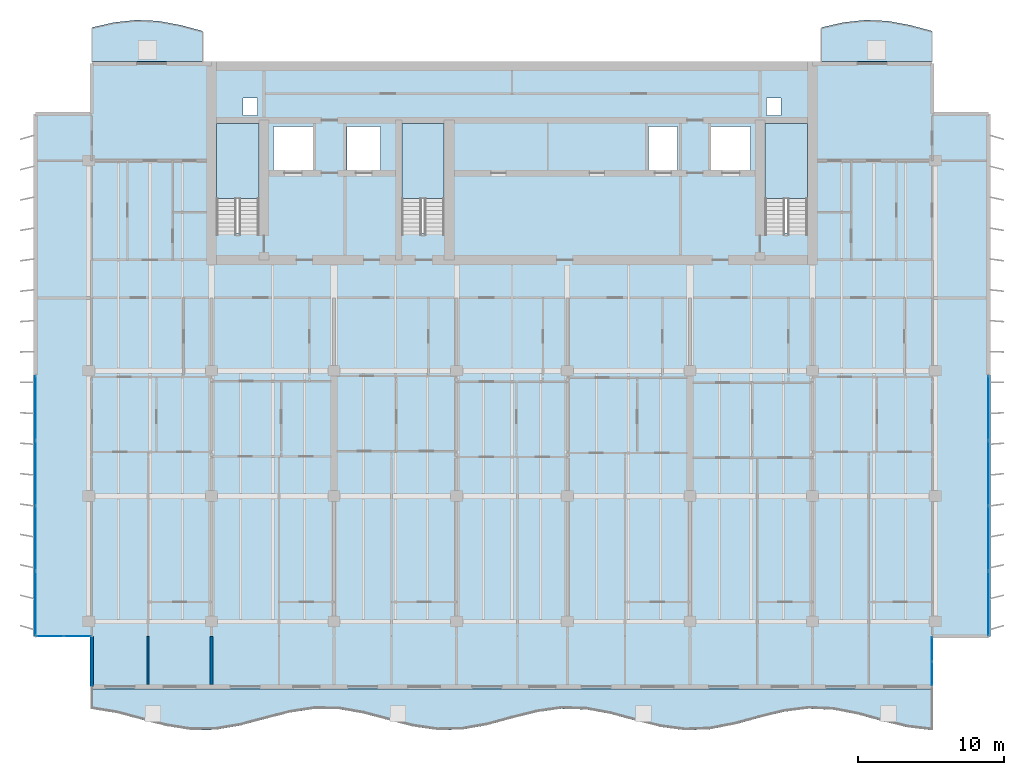
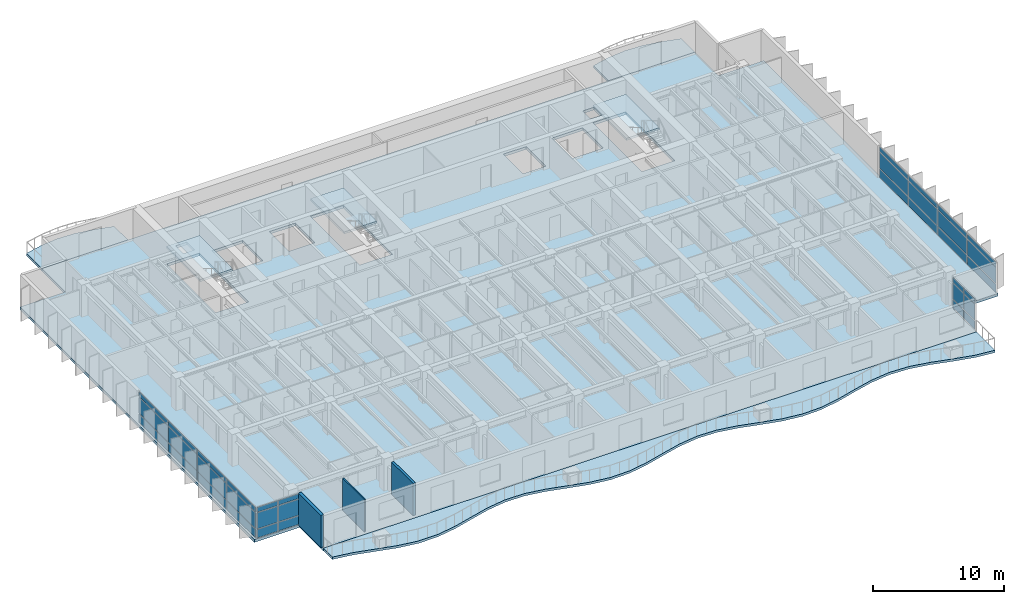
# One storey, part 7 of 19: 36 plates, 7 slabs, 3 walls, 7 elements without a shape of their own.
"""IFC4 building model written with IfcOpenShell, lengths in metres."""

import ifcopenshell
import ifcopenshell.guid

model = None  # the IFC model being written
_history = None  # IfcOwnerHistory: only IFC2X3 demands one
_inside = {}  # id of a spatial element -> (the spatial element, [elements in it])
_under = {}  # id of a project, library or spatial element -> (it, [spatial elements below it])
_declared = {}  # id of a project -> (the project, [libraries it declares])
_typed = {}  # id of a type object -> (the type object, [elements of that type])
_made_of = {}  # id of a material, layer set ... -> (it, [elements and type objects made of it])


def new_model(schema):
    """Start an empty IFC model of exactly this schema.

    Asked for "IFC4X3", IfcOpenShell would pick the latest addendum, in which some entities
    have other attributes; the version numbers below select the first issue.
    IFC2X3 requires an IfcOwnerHistory on every rooted entity: one is made here for all.
    """
    global model, _history
    if schema == "IFC4X3":
        model = ifcopenshell.file(schema_version=(4, 3, 0, 0))
    else:
        model = ifcopenshell.file(schema=schema)
    _inside.clear()
    _under.clear()
    _declared.clear()
    _typed.clear()
    _made_of.clear()
    _history = None
    if model.schema == "IFC2X3":
        org = make("IfcOrganization", Name="unknown")
        user = make(
            "IfcPersonAndOrganization",
            ThePerson=make("IfcPerson", FamilyName="unknown"),
            TheOrganization=org,
        )
        app = make(
            "IfcApplication",
            ApplicationDeveloper=org,
            Version="unknown",
            ApplicationFullName="unknown",
            ApplicationIdentifier="unknown",
        )
        _history = make(
            "IfcOwnerHistory",
            OwningUser=user,
            OwningApplication=app,
            ChangeAction="ADDED",
            CreationDate=0,
        )
    return model


def make(cls, **values):
    """One entity of the class cls with the attributes given. An attribute that is None is left unset."""
    return model.create_entity(
        cls, **{name: value for name, value in values.items() if value is not None}
    )


def rooted(cls, **values):
    """An entity with a GlobalId (a new one), such as an element, a storey or a relation."""
    return make(cls, GlobalId=ifcopenshell.guid.new(), OwnerHistory=_history, **values)


def si_unit(unit_type, name, prefix=None):
    """IfcSIUnit, for example si_unit("LENGTHUNIT", "METRE", prefix="MILLI")."""
    return make("IfcSIUnit", UnitType=unit_type, Prefix=prefix, Name=name)


def assignment(units):
    """IfcUnitAssignment: the units of a project."""
    return None if units is None else make("IfcUnitAssignment", Units=units)


def point(xyz):
    """IfcCartesianPoint."""
    return None if xyz is None else make("IfcCartesianPoint", Coordinates=xyz)


def direction(xyz):
    """IfcDirection."""
    return None if xyz is None else make("IfcDirection", DirectionRatios=xyz)


def frame(location, z_axis=None, x_axis=None):
    """IfcAxis2Placement3D, a coordinate frame: its origin and axes. An axis left out is left unset."""
    return make(
        "IfcAxis2Placement3D",
        Location=point(location),
        Axis=direction(z_axis),
        RefDirection=direction(x_axis),
    )


def frame_2d(location, x_axis=None):
    """IfcAxis2Placement2D, a coordinate frame in the plane: its origin and x axis."""
    return make(
        "IfcAxis2Placement2D", Location=point(location), RefDirection=direction(x_axis)
    )


def origin():
    """The frame at (0, 0, 0) with its axes left unset."""
    return frame((0.0, 0.0, 0.0))


def origin_2d():
    """The frame at (0, 0) in the plane with its x axis left unset."""
    return frame_2d((0.0, 0.0))


def place(relative_to, where):
    """IfcLocalPlacement: puts the frame where relative to a parent placement (None: the world)."""
    return make(
        "IfcLocalPlacement", PlacementRelTo=relative_to, RelativePlacement=where
    )


def context(
    kind, dimensions, precision=None, world=None, true_north=None, identifier=None
):
    """IfcGeometricRepresentationContext, for example the 3D "Model" context."""
    return make(
        "IfcGeometricRepresentationContext",
        ContextIdentifier=identifier,
        ContextType=kind,
        CoordinateSpaceDimension=dimensions,
        Precision=precision,
        WorldCoordinateSystem=world,
        TrueNorth=true_north,
    )


def subcontext(parent, identifier, kind, view, scale=None):
    """IfcGeometricRepresentationSubContext, for example "Body" below "Model"."""
    return make(
        "IfcGeometricRepresentationSubContext",
        ContextIdentifier=identifier,
        ContextType=kind,
        ParentContext=parent,
        TargetScale=scale,
        TargetView=view,
    )


def project(units=None, contexts=None):
    """IfcProject with its units and contexts."""
    return rooted(
        "IfcProject",
        Name="project",
        RepresentationContexts=contexts,
        UnitsInContext=assignment(units),
    )


def spatial(cls, under=None, at=None, **own):
    """A site, building, storey or space (cls), placed at a placement, below another one or the project."""
    s = rooted(cls, ObjectPlacement=at, **own)
    if under is not None:
        _under.setdefault(under.id(), (under, []))[1].append(s)
    return s


def polyline(points):
    """IfcPolyline through the points."""
    return make("IfcPolyline", Points=[point(p) for p in points])


def profile(cls, at=None, kind="AREA", **sizes):
    """A parametric profile (cls). Its sizes go by their IFC names, for example OverallWidth=200.0."""
    return make(cls, ProfileType=kind, Position=at, **sizes)


def rectangle(**sizes):
    """IfcRectangleProfileDef."""
    return profile("IfcRectangleProfileDef", **sizes)


def outline(outer, holes=None, kind="AREA"):
    """IfcArbitraryClosedProfileDef: a profile drawn as a closed curve; with holes, ...WithVoids."""
    if holes is None:
        return make("IfcArbitraryClosedProfileDef", ProfileType=kind, OuterCurve=outer)
    return make(
        "IfcArbitraryProfileDefWithVoids",
        ProfileType=kind,
        OuterCurve=outer,
        InnerCurves=holes,
    )


def extrude(swept, where, along, depth):
    """IfcExtrudedAreaSolid: the profile swept, set in the frame where, extruded along a direction by depth."""
    return make(
        "IfcExtrudedAreaSolid",
        SweptArea=swept,
        Position=where,
        ExtrudedDirection=direction(along),
        Depth=depth,
    )


def shape(context_of_items, identifier, shape_type, items):
    """IfcShapeRepresentation: the items that make up one representation, for example the "Body"."""
    return make(
        "IfcShapeRepresentation",
        ContextOfItems=context_of_items,
        RepresentationIdentifier=identifier,
        RepresentationType=shape_type,
        Items=items,
    )


def material(Name=None, Category=None):
    """IfcMaterial."""
    return make("IfcMaterial", Name=Name, Category=Category)


def layer(
    of_material, thickness, ventilated=None, Name=None, Category=None, Priority=None
):
    """IfcMaterialLayer: one layer of a wall or slab, of a material (None: an air gap)."""
    return make(
        "IfcMaterialLayer",
        Material=of_material,
        LayerThickness=thickness,
        IsVentilated=ventilated,
        Name=Name,
        Category=Category,
        Priority=Priority,
    )


def layer_set(layers, Name=None):
    """IfcMaterialLayerSet."""
    return make("IfcMaterialLayerSet", MaterialLayers=layers, LayerSetName=Name)


def made_of(thing, what):
    """Note that an element or type object is made of a material, layer set ...; save() writes the relation."""
    if what is not None:
        _made_of.setdefault(what.id(), (what, []))[1].append(thing)
    return thing


def type_object(cls, material=None, **own):
    """A type object (cls), such as IfcWallType, which elements share."""
    return made_of(rooted(cls, **own), material)


def element(
    cls,
    number,
    at=None,
    inside=None,
    cuts=None,
    type_object=None,
    material=None,
    context=None,
    identifier="Body",
    shape_type=None,
    held_by="IfcProductDefinitionShape",
    body=None,
    shapes=None,
    **own,
):
    """One element of the class cls, such as IfcWall. Its Tag is "e" and its number.

    at: its placement. inside: the storey or other place that contains it. cuts: it is an
    opening in that element (IfcRelVoidsElement). A single representation is given by context,
    identifier, shape_type and body (its items); several are given by shapes. held_by: the class
    of the entity that holds the representations. save() writes the other relations.
    """
    e = rooted(cls, Tag="e%d" % number, ObjectPlacement=at, **own)
    if body is not None:
        shapes = [shape(context, identifier, shape_type, body)]
    if shapes is not None:
        e.Representation = make(held_by, Representations=shapes)
    if inside is not None:
        _inside.setdefault(inside.id(), (inside, []))[1].append(e)
    if cuts is not None:
        rooted(
            "IfcRelVoidsElement", RelatingBuildingElement=cuts, RelatedOpeningElement=e
        )
    if type_object is not None:
        _typed.setdefault(type_object.id(), (type_object, []))[1].append(e)
    return made_of(e, material)


def aggregate(whole, parts):
    """IfcRelAggregates: a whole, such as a stair, and the parts it consists of."""
    return rooted("IfcRelAggregates", RelatingObject=whole, RelatedObjects=parts)


def save(model, path):
    """Write the relations noted so far, then the file.

    IfcRelAggregates (storeys below a building ...), IfcRelContainedInSpatialStructure (elements
    in a storey), IfcRelDefinesByType, IfcRelAssociatesMaterial and IfcRelDeclares: one each for
    every whole, place, type object, material and project.
    """
    for whole, parts in _under.values():
        aggregate(whole, parts)
    for where, things in _inside.values():
        rooted(
            "IfcRelContainedInSpatialStructure",
            RelatedElements=things,
            RelatingStructure=where,
        )
    for kind, things in _typed.values():
        rooted("IfcRelDefinesByType", RelatedObjects=things, RelatingType=kind)
    for what, things in _made_of.values():
        rooted("IfcRelAssociatesMaterial", RelatedObjects=things, RelatingMaterial=what)
    for by, libraries in _declared.values():
        rooted("IfcRelDeclares", RelatingContext=by, RelatedDefinitions=libraries)
    model.write(path)


model = new_model("IFC4")

# Units and contexts
model_context = context("Model", 3, precision=1e-05, world=origin(), true_north=direction((0.0, 1.0)))
body_context = subcontext(model_context, "Body", "Model", "MODEL_VIEW")
ifc_project = project(units=[si_unit("LENGTHUNIT", "METRE"), si_unit("AREAUNIT", "SQUARE_METRE"), si_unit("VOLUMEUNIT", "CUBIC_METRE"), si_unit("PLANEANGLEUNIT", "RADIAN"), si_unit("MASSUNIT", "GRAM", prefix="KILO")], contexts=[model_context])

# Site, building, storey
site_placement = place(None, origin())
site = spatial("IfcSite", under=ifc_project, at=site_placement, CompositionType="ELEMENT")
building_placement = place(site_placement, origin())
building = spatial("IfcBuilding", under=site, at=building_placement, Name="Caelmar Bay Residences", CompositionType="ELEMENT")
storey_placement = place(building_placement, frame((0.0, 0.0, 218.10009765625)))
storey = spatial("IfcBuildingStorey", under=building, at=storey_placement, Name="L61", CompositionType="ELEMENT", Elevation=218.10009765625)

# Curtain wall, plates
ifc_material_1 = material(Name="Anodised bronze aluminium 6063-T6 and laminated glass", Category="aluminium")
ifc_layer_1 = layer(ifc_material_1, 0.179931640625)
ifc_layer_set_1 = layer_set([ifc_layer_1], Name="Anodised bronze aluminium 6063-T6 and laminated glass")
curtain_wall_type_1 = type_object("IfcCurtainWallType", Name="CW6-NTC", PredefinedType="NOTDEFINED", material=ifc_layer_set_1)
curtain_wall_1_placement = place(storey_placement, origin())
curtain_wall_1 = element("IfcCurtainWall", 1, at=curtain_wall_1_placement, inside=storey, type_object=curtain_wall_type_1, Name="CW6 curtain wall L61", PredefinedType="NOTDEFINED")
ifc_material_2 = material(Name="Bronze-tinted laminated low-E hurricane glass 28 mm", Category="glass")
ifc_layer_2 = layer(ifc_material_2, 0.028076171875)
ifc_layer_set_2 = layer_set([ifc_layer_2], Name="Bronze-tinted laminated low-E hurricane glass 28 mm")
plate_type = type_object("IfcPlateType", Name="CWP-GLZ28", PredefinedType="CURTAIN_PANEL", material=ifc_layer_set_2)
plate_1_placement = place(storey_placement, frame((7.232421875, 11.199951171875, 0.080078125), z_axis=(0.0, 0.0, 1.0), x_axis=(1.0, 0.0, 0.0)))
plate_1 = element("IfcPlate", 2, at=plate_1_placement, type_object=plate_type, Name="CW6 panel 1.1", PredefinedType="CURTAIN_PANEL", context=body_context, shape_type="SweptSolid", body=[
    extrude(rectangle(XDim=1.804931640625, YDim=0.028076171875, at=origin_2d()), origin(), (0.0, 0.0, 1.0), 0.780029296875),
])
plate_2_placement = place(storey_placement, frame((7.232421875, 11.199951171875, 0.93994140625), z_axis=(0.0, 0.0, 1.0), x_axis=(1.0, 0.0, 0.0)))
plate_2 = element("IfcPlate", 3, at=plate_2_placement, type_object=plate_type, Name="CW6 panel 1.2", PredefinedType="CURTAIN_PANEL", context=body_context, shape_type="SweptSolid", body=[
    extrude(rectangle(XDim=1.804931640625, YDim=0.028076171875, at=origin_2d()), origin(), (0.0, 0.0, 1.0), 1.469970703125),
])
plate_3_placement = place(storey_placement, frame((7.232421875, 11.199951171875, 2.48974609375), z_axis=(0.0, 0.0, 1.0), x_axis=(1.0, 0.0, 0.0)))
plate_3 = element("IfcPlate", 4, at=plate_3_placement, type_object=plate_type, Name="CW6 panel 1.3", PredefinedType="CURTAIN_PANEL", context=body_context, shape_type="SweptSolid", body=[
    extrude(rectangle(XDim=1.804931640625, YDim=0.028076171875, at=origin_2d()), origin(), (0.0, 0.0, 1.0), 0.429931640625),
])
plate_4_placement = place(storey_placement, frame((9.117431640625, 11.199951171875, 0.080078125), z_axis=(0.0, 0.0, 1.0), x_axis=(1.0, 0.0, 0.0)))
plate_4 = element("IfcPlate", 5, at=plate_4_placement, type_object=plate_type, Name="CW6 panel 2.1", PredefinedType="CURTAIN_PANEL", context=body_context, shape_type="SweptSolid", body=[
    extrude(rectangle(XDim=1.804931640625, YDim=0.028076171875, at=origin_2d()), origin(), (0.0, 0.0, 1.0), 0.780029296875),
])
plate_5_placement = place(storey_placement, frame((9.117431640625, 11.199951171875, 0.93994140625), z_axis=(0.0, 0.0, 1.0), x_axis=(1.0, 0.0, 0.0)))
plate_5 = element("IfcPlate", 6, at=plate_5_placement, type_object=plate_type, Name="CW6 panel 2.2", PredefinedType="CURTAIN_PANEL", context=body_context, shape_type="SweptSolid", body=[
    extrude(rectangle(XDim=1.804931640625, YDim=0.028076171875, at=origin_2d()), origin(), (0.0, 0.0, 1.0), 1.469970703125),
])
plate_6_placement = place(storey_placement, frame((9.117431640625, 11.199951171875, 2.48974609375), z_axis=(0.0, 0.0, 1.0), x_axis=(1.0, 0.0, 0.0)))
plate_6 = element("IfcPlate", 7, at=plate_6_placement, type_object=plate_type, Name="CW6 panel 2.3", PredefinedType="CURTAIN_PANEL", context=body_context, shape_type="SweptSolid", body=[
    extrude(rectangle(XDim=1.804931640625, YDim=0.028076171875, at=origin_2d()), origin(), (0.0, 0.0, 1.0), 0.429931640625),
])
aggregate(curtain_wall_1, [plate_1, plate_2, plate_3, plate_4, plate_5, plate_6])

curtain_wall_2_placement = place(storey_placement, origin())
curtain_wall_2 = element("IfcCurtainWall", 8, at=curtain_wall_2_placement, inside=storey, type_object=curtain_wall_type_1, Name="CW6 curtain wall L61", PredefinedType="NOTDEFINED")
plate_7_placement = place(storey_placement, frame((67.699951171875, 8.632568359375, 0.080078125), z_axis=(0.0, 0.0, 1.0), x_axis=(0.0, 1.0, 0.0)))
plate_7 = element("IfcPlate", 9, at=plate_7_placement, type_object=plate_type, Name="CW6 panel 1.1", PredefinedType="CURTAIN_PANEL", context=body_context, shape_type="SweptSolid", body=[
    extrude(rectangle(XDim=1.60498046875, YDim=0.028076171875, at=origin_2d()), origin(), (0.0, 0.0, 1.0), 0.780029296875),
])
plate_8_placement = place(storey_placement, frame((67.699951171875, 8.632568359375, 0.93994140625), z_axis=(0.0, 0.0, 1.0), x_axis=(0.0, 1.0, 0.0)))
plate_8 = element("IfcPlate", 10, at=plate_8_placement, type_object=plate_type, Name="CW6 panel 1.2", PredefinedType="CURTAIN_PANEL", context=body_context, shape_type="SweptSolid", body=[
    extrude(rectangle(XDim=1.60498046875, YDim=0.028076171875, at=origin_2d()), origin(), (0.0, 0.0, 1.0), 1.469970703125),
])
plate_9_placement = place(storey_placement, frame((67.699951171875, 8.632568359375, 2.48974609375), z_axis=(0.0, 0.0, 1.0), x_axis=(0.0, 1.0, 0.0)))
plate_9 = element("IfcPlate", 11, at=plate_9_placement, type_object=plate_type, Name="CW6 panel 1.3", PredefinedType="CURTAIN_PANEL", context=body_context, shape_type="SweptSolid", body=[
    extrude(rectangle(XDim=1.60498046875, YDim=0.028076171875, at=origin_2d()), origin(), (0.0, 0.0, 1.0), 0.429931640625),
])
plate_10_placement = place(storey_placement, frame((67.699951171875, 10.3173828125, 0.080078125), z_axis=(0.0, 0.0, 1.0), x_axis=(0.0, 1.0, 0.0)))
plate_10 = element("IfcPlate", 12, at=plate_10_placement, type_object=plate_type, Name="CW6 panel 2.1", PredefinedType="CURTAIN_PANEL", context=body_context, shape_type="SweptSolid", body=[
    extrude(rectangle(XDim=1.60498046875, YDim=0.028076171875, at=origin_2d()), origin(), (0.0, 0.0, 1.0), 0.780029296875),
])
plate_11_placement = place(storey_placement, frame((67.699951171875, 10.3173828125, 0.93994140625), z_axis=(0.0, 0.0, 1.0), x_axis=(0.0, 1.0, 0.0)))
plate_11 = element("IfcPlate", 13, at=plate_11_placement, type_object=plate_type, Name="CW6 panel 2.2", PredefinedType="CURTAIN_PANEL", context=body_context, shape_type="SweptSolid", body=[
    extrude(rectangle(XDim=1.60498046875, YDim=0.028076171875, at=origin_2d()), origin(), (0.0, 0.0, 1.0), 1.469970703125),
])
plate_12_placement = place(storey_placement, frame((67.699951171875, 10.3173828125, 2.48974609375), z_axis=(0.0, 0.0, 1.0), x_axis=(0.0, 1.0, 0.0)))
plate_12 = element("IfcPlate", 14, at=plate_12_placement, type_object=plate_type, Name="CW6 panel 2.3", PredefinedType="CURTAIN_PANEL", context=body_context, shape_type="SweptSolid", body=[
    extrude(rectangle(XDim=1.60498046875, YDim=0.028076171875, at=origin_2d()), origin(), (0.0, 0.0, 1.0), 0.429931640625),
])
aggregate(curtain_wall_2, [plate_7, plate_8, plate_9, plate_10, plate_11, plate_12])

ifc_layer_3 = layer(ifc_material_1, 0.179931640625)
ifc_layer_set_3 = layer_set([ifc_layer_3], Name="Anodised bronze aluminium 6063-T6 and laminated glass")
curtain_wall_type_2 = type_object("IfcCurtainWallType", Name="CW4-Z3", PredefinedType="NOTDEFINED", material=ifc_layer_set_3)
curtain_wall_3_placement = place(storey_placement, origin())
curtain_wall_3 = element("IfcCurtainWall", 15, at=curtain_wall_3_placement, inside=storey, type_object=curtain_wall_type_2, Name="CW4 curtain wall L61", PredefinedType="NOTDEFINED")
plate_13_placement = place(storey_placement, frame((6.25, 13.45751953125, 0.080078125), z_axis=(0.0, 0.0, 1.0), x_axis=(0.0, 1.0, 0.0)))
plate_13 = element("IfcPlate", 16, at=plate_13_placement, type_object=plate_type, Name="CW4 panel 1.1", PredefinedType="CURTAIN_PANEL", context=body_context, shape_type="SweptSolid", body=[
    extrude(rectangle(XDim=4.35498046875, YDim=0.028076171875, at=origin_2d()), origin(), (0.0, 0.0, 1.0), 0.780029296875),
])
plate_14_placement = place(storey_placement, frame((6.25, 13.45751953125, 0.93994140625), z_axis=(0.0, 0.0, 1.0), x_axis=(0.0, 1.0, 0.0)))
plate_14 = element("IfcPlate", 17, at=plate_14_placement, type_object=plate_type, Name="CW4 panel 1.2", PredefinedType="CURTAIN_PANEL", context=body_context, shape_type="SweptSolid", body=[
    extrude(rectangle(XDim=4.35498046875, YDim=0.028076171875, at=origin_2d()), origin(), (0.0, 0.0, 1.0), 1.469970703125),
])
plate_15_placement = place(storey_placement, frame((6.25, 13.45751953125, 2.48974609375), z_axis=(0.0, 0.0, 1.0), x_axis=(0.0, 1.0, 0.0)))
plate_15 = element("IfcPlate", 18, at=plate_15_placement, type_object=plate_type, Name="CW4 panel 1.3", PredefinedType="CURTAIN_PANEL", context=body_context, shape_type="SweptSolid", body=[
    extrude(rectangle(XDim=4.35498046875, YDim=0.028076171875, at=origin_2d()), origin(), (0.0, 0.0, 1.0), 0.429931640625),
])
plate_16_placement = place(storey_placement, frame((6.25, 17.91259765625, 0.080078125), z_axis=(0.0, 0.0, 1.0), x_axis=(0.0, 1.0, 0.0)))
plate_16 = element("IfcPlate", 19, at=plate_16_placement, type_object=plate_type, Name="CW4 panel 2.1", PredefinedType="CURTAIN_PANEL", context=body_context, shape_type="SweptSolid", body=[
    extrude(rectangle(XDim=4.39501953125, YDim=0.028076171875, at=origin_2d()), origin(), (0.0, 0.0, 1.0), 0.780029296875),
])
plate_17_placement = place(storey_placement, frame((6.25, 17.91259765625, 0.93994140625), z_axis=(0.0, 0.0, 1.0), x_axis=(0.0, 1.0, 0.0)))
plate_17 = element("IfcPlate", 20, at=plate_17_placement, type_object=plate_type, Name="CW4 panel 2.2", PredefinedType="CURTAIN_PANEL", context=body_context, shape_type="SweptSolid", body=[
    extrude(rectangle(XDim=4.39501953125, YDim=0.028076171875, at=origin_2d()), origin(), (0.0, 0.0, 1.0), 1.469970703125),
])
plate_18_placement = place(storey_placement, frame((6.25, 17.91259765625, 2.48974609375), z_axis=(0.0, 0.0, 1.0), x_axis=(0.0, 1.0, 0.0)))
plate_18 = element("IfcPlate", 21, at=plate_18_placement, type_object=plate_type, Name="CW4 panel 2.3", PredefinedType="CURTAIN_PANEL", context=body_context, shape_type="SweptSolid", body=[
    extrude(rectangle(XDim=4.39501953125, YDim=0.028076171875, at=origin_2d()), origin(), (0.0, 0.0, 1.0), 0.429931640625),
])
plate_19_placement = place(storey_placement, frame((6.25, 22.387451171875, 0.080078125), z_axis=(0.0, 0.0, 1.0), x_axis=(0.0, 1.0, 0.0)))
plate_19 = element("IfcPlate", 22, at=plate_19_placement, type_object=plate_type, Name="CW4 panel 3.1", PredefinedType="CURTAIN_PANEL", context=body_context, shape_type="SweptSolid", body=[
    extrude(rectangle(XDim=4.39501953125, YDim=0.028076171875, at=origin_2d()), origin(), (0.0, 0.0, 1.0), 0.780029296875),
])
plate_20_placement = place(storey_placement, frame((6.25, 22.387451171875, 0.93994140625), z_axis=(0.0, 0.0, 1.0), x_axis=(0.0, 1.0, 0.0)))
plate_20 = element("IfcPlate", 23, at=plate_20_placement, type_object=plate_type, Name="CW4 panel 3.2", PredefinedType="CURTAIN_PANEL", context=body_context, shape_type="SweptSolid", body=[
    extrude(rectangle(XDim=4.39501953125, YDim=0.028076171875, at=origin_2d()), origin(), (0.0, 0.0, 1.0), 1.469970703125),
])
plate_21_placement = place(storey_placement, frame((6.25, 22.387451171875, 2.48974609375), z_axis=(0.0, 0.0, 1.0), x_axis=(0.0, 1.0, 0.0)))
plate_21 = element("IfcPlate", 24, at=plate_21_placement, type_object=plate_type, Name="CW4 panel 3.3", PredefinedType="CURTAIN_PANEL", context=body_context, shape_type="SweptSolid", body=[
    extrude(rectangle(XDim=4.39501953125, YDim=0.028076171875, at=origin_2d()), origin(), (0.0, 0.0, 1.0), 0.429931640625),
])
plate_22_placement = place(storey_placement, frame((6.25, 26.842529296875, 0.080078125), z_axis=(0.0, 0.0, 1.0), x_axis=(0.0, 1.0, 0.0)))
plate_22 = element("IfcPlate", 25, at=plate_22_placement, type_object=plate_type, Name="CW4 panel 4.1", PredefinedType="CURTAIN_PANEL", context=body_context, shape_type="SweptSolid", body=[
    extrude(rectangle(XDim=4.35498046875, YDim=0.028076171875, at=origin_2d()), origin(), (0.0, 0.0, 1.0), 0.780029296875),
])
plate_23_placement = place(storey_placement, frame((6.25, 26.842529296875, 0.93994140625), z_axis=(0.0, 0.0, 1.0), x_axis=(0.0, 1.0, 0.0)))
plate_23 = element("IfcPlate", 26, at=plate_23_placement, type_object=plate_type, Name="CW4 panel 4.2", PredefinedType="CURTAIN_PANEL", context=body_context, shape_type="SweptSolid", body=[
    extrude(rectangle(XDim=4.35498046875, YDim=0.028076171875, at=origin_2d()), origin(), (0.0, 0.0, 1.0), 1.469970703125),
])
plate_24_placement = place(storey_placement, frame((6.25, 26.842529296875, 2.48974609375), z_axis=(0.0, 0.0, 1.0), x_axis=(0.0, 1.0, 0.0)))
plate_24 = element("IfcPlate", 27, at=plate_24_placement, type_object=plate_type, Name="CW4 panel 4.3", PredefinedType="CURTAIN_PANEL", context=body_context, shape_type="SweptSolid", body=[
    extrude(rectangle(XDim=4.35498046875, YDim=0.028076171875, at=origin_2d()), origin(), (0.0, 0.0, 1.0), 0.429931640625),
])
aggregate(curtain_wall_3, [plate_13, plate_14, plate_15, plate_16, plate_17, plate_18, plate_19, plate_20, plate_21, plate_22, plate_23, plate_24])

curtain_wall_4_placement = place(storey_placement, origin())
curtain_wall_4 = element("IfcCurtainWall", 28, at=curtain_wall_4_placement, inside=storey, type_object=curtain_wall_type_2, Name="CW4 curtain wall L61", PredefinedType="NOTDEFINED")
plate_25_placement = place(storey_placement, frame((71.550048828125, 26.842529296875, 0.080078125), z_axis=(0.0, 0.0, 1.0), x_axis=(0.0, -1.0, 0.0)))
plate_25 = element("IfcPlate", 29, at=plate_25_placement, type_object=plate_type, Name="CW4 panel 1.1", PredefinedType="CURTAIN_PANEL", context=body_context, shape_type="SweptSolid", body=[
    extrude(rectangle(XDim=4.35498046875, YDim=0.028076171875, at=origin_2d()), origin(), (0.0, 0.0, 1.0), 0.780029296875),
])
plate_26_placement = place(storey_placement, frame((71.550048828125, 26.842529296875, 0.93994140625), z_axis=(0.0, 0.0, 1.0), x_axis=(0.0, -1.0, 0.0)))
plate_26 = element("IfcPlate", 30, at=plate_26_placement, type_object=plate_type, Name="CW4 panel 1.2", PredefinedType="CURTAIN_PANEL", context=body_context, shape_type="SweptSolid", body=[
    extrude(rectangle(XDim=4.35498046875, YDim=0.028076171875, at=origin_2d()), origin(), (0.0, 0.0, 1.0), 1.469970703125),
])
plate_27_placement = place(storey_placement, frame((71.550048828125, 26.842529296875, 2.48974609375), z_axis=(0.0, 0.0, 1.0), x_axis=(0.0, -1.0, 0.0)))
plate_27 = element("IfcPlate", 31, at=plate_27_placement, type_object=plate_type, Name="CW4 panel 1.3", PredefinedType="CURTAIN_PANEL", context=body_context, shape_type="SweptSolid", body=[
    extrude(rectangle(XDim=4.35498046875, YDim=0.028076171875, at=origin_2d()), origin(), (0.0, 0.0, 1.0), 0.429931640625),
])
plate_28_placement = place(storey_placement, frame((71.550048828125, 22.387451171875, 0.080078125), z_axis=(0.0, 0.0, 1.0), x_axis=(0.0, -1.0, 0.0)))
plate_28 = element("IfcPlate", 32, at=plate_28_placement, type_object=plate_type, Name="CW4 panel 2.1", PredefinedType="CURTAIN_PANEL", context=body_context, shape_type="SweptSolid", body=[
    extrude(rectangle(XDim=4.39501953125, YDim=0.028076171875, at=origin_2d()), origin(), (0.0, 0.0, 1.0), 0.780029296875),
])
plate_29_placement = place(storey_placement, frame((71.550048828125, 22.387451171875, 0.93994140625), z_axis=(0.0, 0.0, 1.0), x_axis=(0.0, -1.0, 0.0)))
plate_29 = element("IfcPlate", 33, at=plate_29_placement, type_object=plate_type, Name="CW4 panel 2.2", PredefinedType="CURTAIN_PANEL", context=body_context, shape_type="SweptSolid", body=[
    extrude(rectangle(XDim=4.39501953125, YDim=0.028076171875, at=origin_2d()), origin(), (0.0, 0.0, 1.0), 1.469970703125),
])
plate_30_placement = place(storey_placement, frame((71.550048828125, 22.387451171875, 2.48974609375), z_axis=(0.0, 0.0, 1.0), x_axis=(0.0, -1.0, 0.0)))
plate_30 = element("IfcPlate", 34, at=plate_30_placement, type_object=plate_type, Name="CW4 panel 2.3", PredefinedType="CURTAIN_PANEL", context=body_context, shape_type="SweptSolid", body=[
    extrude(rectangle(XDim=4.39501953125, YDim=0.028076171875, at=origin_2d()), origin(), (0.0, 0.0, 1.0), 0.429931640625),
])
plate_31_placement = place(storey_placement, frame((71.550048828125, 17.91259765625, 0.080078125), z_axis=(0.0, 0.0, 1.0), x_axis=(0.0, -1.0, 0.0)))
plate_31 = element("IfcPlate", 35, at=plate_31_placement, type_object=plate_type, Name="CW4 panel 3.1", PredefinedType="CURTAIN_PANEL", context=body_context, shape_type="SweptSolid", body=[
    extrude(rectangle(XDim=4.39501953125, YDim=0.028076171875, at=origin_2d()), origin(), (0.0, 0.0, 1.0), 0.780029296875),
])
plate_32_placement = place(storey_placement, frame((71.550048828125, 17.91259765625, 0.93994140625), z_axis=(0.0, 0.0, 1.0), x_axis=(0.0, -1.0, 0.0)))
plate_32 = element("IfcPlate", 36, at=plate_32_placement, type_object=plate_type, Name="CW4 panel 3.2", PredefinedType="CURTAIN_PANEL", context=body_context, shape_type="SweptSolid", body=[
    extrude(rectangle(XDim=4.39501953125, YDim=0.028076171875, at=origin_2d()), origin(), (0.0, 0.0, 1.0), 1.469970703125),
])
plate_33_placement = place(storey_placement, frame((71.550048828125, 17.91259765625, 2.48974609375), z_axis=(0.0, 0.0, 1.0), x_axis=(0.0, -1.0, 0.0)))
plate_33 = element("IfcPlate", 37, at=plate_33_placement, type_object=plate_type, Name="CW4 panel 3.3", PredefinedType="CURTAIN_PANEL", context=body_context, shape_type="SweptSolid", body=[
    extrude(rectangle(XDim=4.39501953125, YDim=0.028076171875, at=origin_2d()), origin(), (0.0, 0.0, 1.0), 0.429931640625),
])
plate_34_placement = place(storey_placement, frame((71.550048828125, 13.45751953125, 0.080078125), z_axis=(0.0, 0.0, 1.0), x_axis=(0.0, -1.0, 0.0)))
plate_34 = element("IfcPlate", 38, at=plate_34_placement, type_object=plate_type, Name="CW4 panel 4.1", PredefinedType="CURTAIN_PANEL", context=body_context, shape_type="SweptSolid", body=[
    extrude(rectangle(XDim=4.35498046875, YDim=0.028076171875, at=origin_2d()), origin(), (0.0, 0.0, 1.0), 0.780029296875),
])
plate_35_placement = place(storey_placement, frame((71.550048828125, 13.45751953125, 0.93994140625), z_axis=(0.0, 0.0, 1.0), x_axis=(0.0, -1.0, 0.0)))
plate_35 = element("IfcPlate", 39, at=plate_35_placement, type_object=plate_type, Name="CW4 panel 4.2", PredefinedType="CURTAIN_PANEL", context=body_context, shape_type="SweptSolid", body=[
    extrude(rectangle(XDim=4.35498046875, YDim=0.028076171875, at=origin_2d()), origin(), (0.0, 0.0, 1.0), 1.469970703125),
])
plate_36_placement = place(storey_placement, frame((71.550048828125, 13.45751953125, 2.48974609375), z_axis=(0.0, 0.0, 1.0), x_axis=(0.0, -1.0, 0.0)))
plate_36 = element("IfcPlate", 40, at=plate_36_placement, type_object=plate_type, Name="CW4 panel 4.3", PredefinedType="CURTAIN_PANEL", context=body_context, shape_type="SweptSolid", body=[
    extrude(rectangle(XDim=4.35498046875, YDim=0.028076171875, at=origin_2d()), origin(), (0.0, 0.0, 1.0), 0.429931640625),
])
aggregate(curtain_wall_4, [plate_25, plate_26, plate_27, plate_28, plate_29, plate_30, plate_31, plate_32, plate_33, plate_34, plate_35, plate_36])

# Slabs
ifc_material_3 = material(Name="Concrete f'c 40 MPa (6,000 psi)", Category="concrete")
ifc_layer_4 = layer(ifc_material_3, 0.219970703125)
ifc_layer_set_4 = layer_set([ifc_layer_4], Name="Concrete f'c 40 MPa (6,000 psi)")
slab_type_1 = type_object("IfcSlabType", Name="SLB-BAL-220", PredefinedType="FLOOR", material=ifc_layer_set_4)
slab_1_placement = place(storey_placement, frame((0.0, 0.0, -0.22021484375)))
element("IfcSlab", 41, at=slab_1_placement, inside=storey, type_object=slab_type_1, Name="L61 Sinusoidal Tree-Balcony Slab south", PredefinedType="FLOOR", context=body_context, shape_type="SweptSolid", body=[
    extrude(outline(polyline([(10.10009765625, 6.21337890625), (11.794189453125, 5.9375), (13.48828125, 5.4921875), (15.182373046875, 5.049560546875), (16.87646484375, 4.781982421875), (18.570556640625, 4.793212890625), (20.2646484375, 5.07861328125), (21.958740234375, 5.527587890625), (23.65283203125, 5.966064453125), (25.34716796875, 6.223388671875), (27.041259765625, 6.2001953125), (28.7353515625, 5.90478515625), (30.429443359375, 5.452392578125), (32.12353515625, 5.0185546875), (33.817626953125, 4.771484375), (35.51171875, 4.807373046875), (37.205810546875, 5.11181640625), (38.89990234375, 5.567138671875), (40.593994140625, 5.996337890625), (42.2880859375, 6.23291015625), (43.982421875, 6.184814453125), (45.676513671875, 5.87109375), (47.37060546875, 5.4130859375), (49.064697265625, 4.989013671875), (50.7587890625, 4.76318359375), (52.452880859375, 4.823486328125), (54.147216796875, 5.146484375), (55.84130859375, 5.606689453125), (57.535400390625, 6.025390625), (59.2294921875, 6.240234375), (60.923583984375, 6.167724609375), (62.61767578125, 5.836181640625), (64.311767578125, 5.373779296875), (66.005859375, 4.960693359375), (67.699951171875, 4.7568359375), (67.699951171875, 7.60009765625), (10.10009765625, 7.60009765625), (10.10009765625, 6.21337890625)])), origin(), (0.0, 0.0, 1.0), 0.22021484375),
])
slab_2_placement = place(storey_placement, frame((0.0, 0.0, -0.22021484375)))
element("IfcSlab", 42, at=slab_2_placement, inside=storey, type_object=slab_type_1, Name="L61 Sinusoidal Tree-Balcony Slab north_west", PredefinedType="FLOOR", context=body_context, shape_type="SweptSolid", body=[
    extrude(outline(polyline([(10.10009765625, 50.60009765625), (17.699951171875, 50.60009765625), (17.699951171875, 52.688720703125), (16.179931640625, 53.09423828125), (14.659912109375, 53.375732421875), (13.139892578125, 53.444580078125), (11.6201171875, 53.279296875), (10.10009765625, 52.931884765625), (10.10009765625, 50.60009765625)])), origin(), (0.0, 0.0, 1.0), 0.22021484375),
])
slab_3_placement = place(storey_placement, frame((0.0, 0.0, -0.22021484375)))
element("IfcSlab", 43, at=slab_3_placement, inside=storey, type_object=slab_type_1, Name="L61 Sinusoidal Tree-Balcony Slab north_east", PredefinedType="FLOOR", context=body_context, shape_type="SweptSolid", body=[
    extrude(outline(polyline([(60.10009765625, 50.60009765625), (67.699951171875, 50.60009765625), (67.699951171875, 52.688720703125), (66.179931640625, 53.09423828125), (64.659912109375, 53.375732421875), (63.139892578125, 53.444580078125), (61.6201171875, 53.279296875), (60.10009765625, 52.931884765625), (60.10009765625, 50.60009765625)])), origin(), (0.0, 0.0, 1.0), 0.22021484375),
])

# Stair, slab
stair_type = type_object("IfcStairType", Name="ST-TYP-165", PredefinedType="HALF_TURN_STAIR", material=ifc_material_3)
stair_1_placement = place(storey_placement, origin())
stair_1 = element("IfcStair", 44, at=stair_1_placement, inside=storey, type_object=stair_type, Name="L61 West Smokeproof Exit Stair ST1", PredefinedType="HALF_TURN_STAIR")
ifc_layer_5 = layer(ifc_material_3, 0.199951171875)
ifc_layer_set_5 = layer_set([ifc_layer_5], Name="Concrete f'c 40 MPa (6,000 psi)")
slab_type_2 = type_object("IfcSlabType", Name="SLB-LND-200", PredefinedType="LANDING", material=ifc_layer_set_5)
slab_4_placement = place(storey_placement, frame((0.0, 0.0, 1.449951171875)))
slab_4 = element("IfcSlab", 45, at=slab_4_placement, type_object=slab_type_2, Name="ST1 landing 1", PredefinedType="LANDING", context=body_context, shape_type="SweptSolid", body=[
    extrude(outline(polyline([(21.550048828125, 41.219970703125), (21.550048828125, 46.35009765625), (18.64990234375, 46.35009765625), (18.64990234375, 41.219970703125), (21.550048828125, 41.219970703125)])), origin(), (0.0, 0.0, 1.0), 0.199951171875),
])
aggregate(stair_1, [slab_4])

stair_2_placement = place(storey_placement, origin())
stair_2 = element("IfcStair", 46, at=stair_2_placement, inside=storey, type_object=stair_type, Name="L61 East Smokeproof Exit Stair ST2", PredefinedType="HALF_TURN_STAIR")
slab_5_placement = place(storey_placement, frame((0.0, 0.0, 1.449951171875)))
slab_5 = element("IfcSlab", 47, at=slab_5_placement, type_object=slab_type_2, Name="ST2 landing 1", PredefinedType="LANDING", context=body_context, shape_type="SweptSolid", body=[
    extrude(outline(polyline([(59.14990234375, 41.219970703125), (59.14990234375, 46.35009765625), (56.25, 46.35009765625), (56.25, 41.219970703125), (59.14990234375, 41.219970703125)])), origin(), (0.0, 0.0, 1.0), 0.199951171875),
])
aggregate(stair_2, [slab_5])

stair_3_placement = place(storey_placement, origin())
stair_3 = element("IfcStair", 48, at=stair_3_placement, inside=storey, type_object=stair_type, Name="L61 Central Smokeproof Exit Stair ST3", PredefinedType="HALF_TURN_STAIR")
slab_6_placement = place(storey_placement, frame((0.0, 0.0, 1.449951171875)))
slab_6 = element("IfcSlab", 49, at=slab_6_placement, type_object=slab_type_2, Name="ST3 landing 1", PredefinedType="LANDING", context=body_context, shape_type="SweptSolid", body=[
    extrude(outline(polyline([(34.25, 41.219970703125), (34.25, 46.35009765625), (31.35009765625, 46.35009765625), (31.35009765625, 41.219970703125), (34.25, 41.219970703125)])), origin(), (0.0, 0.0, 1.0), 0.199951171875),
])
aggregate(stair_3, [slab_6])

# Slab
ifc_layer_6 = layer(ifc_material_3, 0.25)
ifc_layer_set_6 = layer_set([ifc_layer_6], Name="Concrete f'c 40 MPa (6,000 psi)")
slab_type_3 = type_object("IfcSlabType", Name="SLB-RES-250", PredefinedType="FLOOR", material=ifc_layer_set_6)
slab_7_placement = place(storey_placement, frame((0.0, 0.0, -0.25)))
element("IfcSlab", 50, at=slab_7_placement, inside=storey, type_object=slab_type_3, Name="L61 Structural Floor Slab", PredefinedType="FLOOR", context=body_context, shape_type="SweptSolid", body=[
    extrude(outline(polyline([(10.10009765625, 7.60009765625), (67.699951171875, 7.60009765625), (67.699951171875, 11.199951171875), (71.699951171875, 11.199951171875), (71.699951171875, 47.0), (67.699951171875, 47.0), (67.699951171875, 50.60009765625), (10.10009765625, 50.60009765625), (10.10009765625, 47.0), (6.10009765625, 47.0), (6.10009765625, 11.199951171875), (10.10009765625, 11.199951171875), (10.10009765625, 7.60009765625)]), holes=[polyline([(18.64990234375, 38.85009765625), (21.550048828125, 38.85009765625), (21.550048828125, 46.35009765625), (18.64990234375, 46.35009765625), (18.64990234375, 38.85009765625)]), polyline([(56.25, 38.85009765625), (59.14990234375, 38.85009765625), (59.14990234375, 46.35009765625), (56.25, 46.35009765625), (56.25, 38.85009765625)]), polyline([(31.35009765625, 38.85009765625), (34.25, 38.85009765625), (34.25, 46.35009765625), (31.35009765625, 46.35009765625), (31.35009765625, 38.85009765625)]), polyline([(22.550048828125, 43.050048828125), (25.25, 43.050048828125), (25.25, 46.14990234375), (22.550048828125, 46.14990234375), (22.550048828125, 43.050048828125)]), polyline([(52.550048828125, 43.050048828125), (55.25, 43.050048828125), (55.25, 46.14990234375), (52.550048828125, 46.14990234375), (52.550048828125, 43.050048828125)]), polyline([(48.25, 43.14990234375), (50.25, 43.14990234375), (50.25, 46.14990234375), (48.25, 46.14990234375), (48.25, 43.14990234375)]), polyline([(27.60009765625, 43.14990234375), (29.89990234375, 43.14990234375), (29.89990234375, 46.14990234375), (27.60009765625, 46.14990234375), (27.60009765625, 43.14990234375)]), polyline([(20.449951171875, 46.89990234375), (21.449951171875, 46.89990234375), (21.449951171875, 48.10009765625), (20.449951171875, 48.10009765625), (20.449951171875, 46.89990234375)]), polyline([(56.35009765625, 46.89990234375), (57.35009765625, 46.89990234375), (57.35009765625, 48.10009765625), (56.35009765625, 48.10009765625), (56.35009765625, 46.89990234375)])]), origin(), (0.0, 0.0, 1.0), 0.25),
])

# Walls
ifc_material_4 = material(Name="Precast concrete f'c 40 MPa (6,000 psi)", Category="concrete")
ifc_layer_7 = layer(ifc_material_4, 0.25)
ifc_layer_set_7 = layer_set([ifc_layer_7], Name="Precast concrete f'c 40 MPa (6,000 psi)")
wall_type_1 = type_object("IfcWallType", Name="W-EXT-250", PredefinedType="ELEMENTEDWALL", material=ifc_layer_set_7)
wall_1_placement = place(storey_placement, frame((10.10009765625, 11.199951171875, 0.0), z_axis=(0.0, 0.0, 1.0), x_axis=(0.0, -1.0, 0.0)))
element("IfcWall", 51, at=wall_1_placement, inside=storey, type_object=wall_type_1, Name="L61 SW Notch Return Wall", PredefinedType="ELEMENTEDWALL", context=body_context, shape_type="SweptSolid", body=[
    extrude(rectangle(XDim=3.449951171875, YDim=0.25, at=frame_2d((1.72509765625, 0.0))), origin(), (0.0, 0.0, 1.0), 3.0),
])
ifc_material_5 = material(Name="Acoustic metal-stud gypsum partition 120 mm")
ifc_layer_8 = layer(ifc_material_5, 0.1201171875)
ifc_layer_set_8 = layer_set([ifc_layer_8], Name="Acoustic metal-stud gypsum partition 120 mm")
wall_type_2 = type_object("IfcWallType", Name="W-PRT-120", PredefinedType="PARTITIONING", material=ifc_layer_set_8)
wall_2_placement = place(storey_placement, frame((13.9541015625, 7.89501953125, 0.0), z_axis=(0.0, 0.0, 1.0), x_axis=(0.0, 1.0, 0.0)))
element("IfcWall", 52, at=wall_2_placement, inside=storey, type_object=wall_type_2, Name="L61 Partition Wall V010", PredefinedType="PARTITIONING", context=body_context, shape_type="SweptSolid", body=[
    extrude(rectangle(XDim=3.304931640625, YDim=0.1201171875, at=frame_2d((1.65234375, 0.0))), origin(), (0.0, 0.0, 1.0), 3.0),
])
ifc_material_6 = material(Name="Acoustic twin-stud fire-rated inter-tenancy partition 200 mm")
ifc_layer_9 = layer(ifc_material_6, 0.199951171875)
ifc_layer_set_9 = layer_set([ifc_layer_9], Name="Acoustic twin-stud fire-rated inter-tenancy partition 200 mm")
wall_type_3 = type_object("IfcWallType", Name="W-PTY-200", PredefinedType="PARTITIONING", material=ifc_layer_set_9)
wall_3_placement = place(storey_placement, frame((18.300048828125, 7.89501953125, 0.0), z_axis=(0.0, 0.0, 1.0), x_axis=(0.0, 1.0, 0.0)))
element("IfcWall", 53, at=wall_3_placement, inside=storey, type_object=wall_type_3, Name="L61 Partition Wall V017", PredefinedType="PARTITIONING", context=body_context, shape_type="SweptSolid", body=[
    extrude(rectangle(XDim=3.304931640625, YDim=0.199951171875, at=frame_2d((1.65234375, 0.0))), origin(), (0.0, 0.0, 1.0), 3.0),
])

save(model, "model.ifc")
